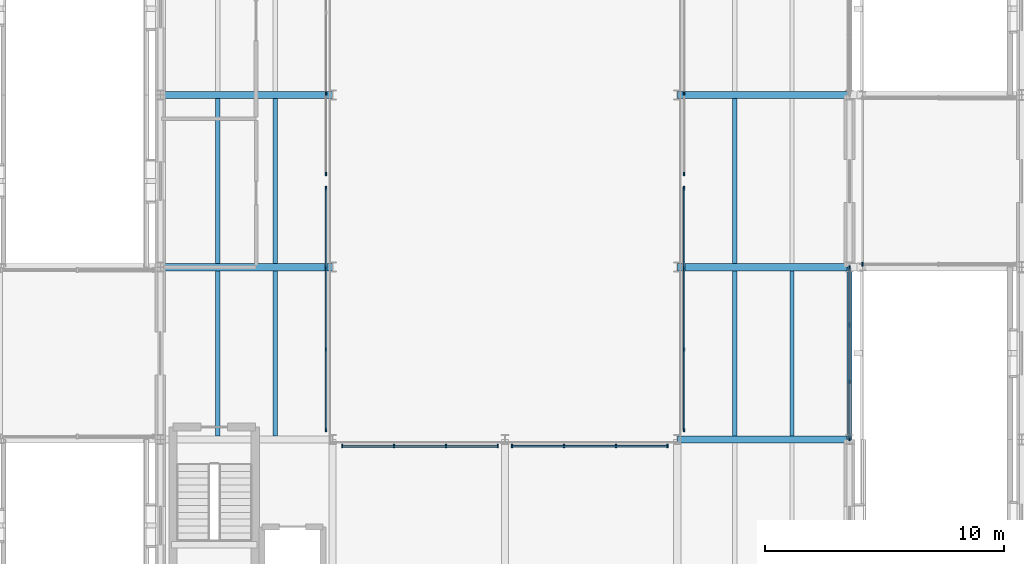
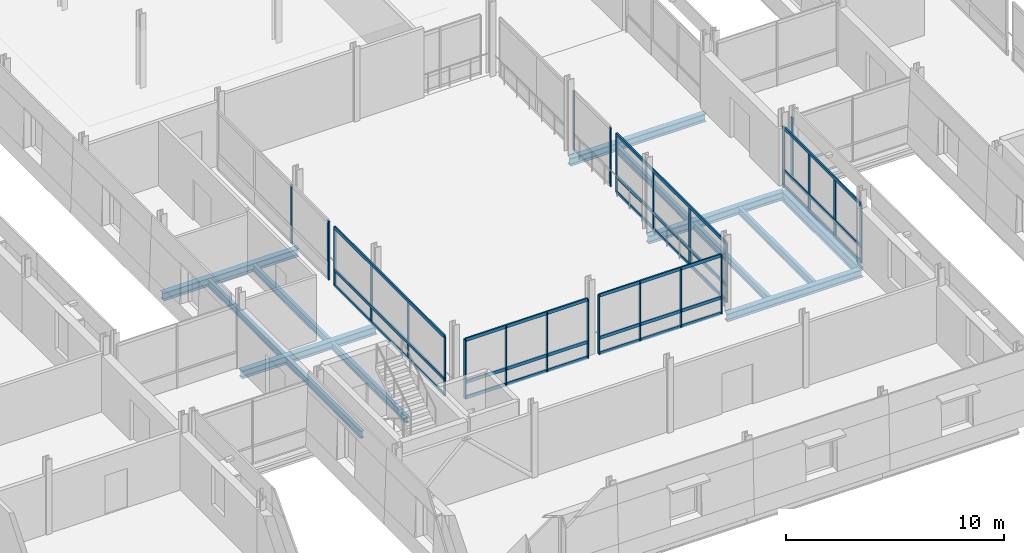
# One storey, part 23 of 115: 40 members, 13 beams, 8 elements without a shape of their own.
"""IFC4 building model written with IfcOpenShell, lengths in metres."""

from ifc_helpers import new_model, si_unit, direction, frame, origin, origin_2d, place, context, subcontext, project, spatial, rectangle, i_section, extrude, material, layer, layer_set, material_profile, profile_set, type_object, element, aggregate, save


model = new_model("IFC4")

# Units and contexts
model_context = context("Model", 3, precision=1e-05, world=origin(), true_north=direction((0.0, 1.0)))
body_context = subcontext(model_context, "Body", "Model", "MODEL_VIEW")
ifc_project = project(units=[si_unit("LENGTHUNIT", "METRE"), si_unit("AREAUNIT", "SQUARE_METRE"), si_unit("VOLUMEUNIT", "CUBIC_METRE"), si_unit("PLANEANGLEUNIT", "RADIAN"), si_unit("MASSUNIT", "GRAM", prefix="KILO")], contexts=[model_context])

# Site, building, storey
site_placement = place(None, origin())
site = spatial("IfcSite", under=ifc_project, at=site_placement, CompositionType="ELEMENT")
building_placement = place(site_placement, origin())
building = spatial("IfcBuilding", under=site, at=building_placement, Name="Narikvali Park Central Library", CompositionType="ELEMENT")
storey_placement = place(building_placement, frame((0.0, 0.0, 10.199951171875)))
storey = spatial("IfcBuildingStorey", under=building, at=storey_placement, Name="L02", CompositionType="ELEMENT", Elevation=10.199951171875)

# Curtain wall, members
ifc_material_1 = material(Name="Anodised Bronze Aluminium", Category="aluminium")
ifc_layer_1 = layer(ifc_material_1, 0.219970703125, Name="Anodised Bronze Aluminium")
ifc_layer_set_1 = layer_set([ifc_layer_1], Name="Anodised Bronze Aluminium")
curtain_wall_type_1 = type_object("IfcCurtainWallType", Name="Atrium Tall Curtain Wall System", PredefinedType="NOTDEFINED", material=ifc_layer_set_1)
curtain_wall_1_placement = place(storey_placement, origin())
curtain_wall_1 = element("IfcCurtainWall", 1, at=curtain_wall_1_placement, inside=storey, type_object=curtain_wall_type_1, Name="Atrium Tall Curtain Wall System CW-V4-L02-E-03", PredefinedType="NOTDEFINED")
ifc_material_profile_1 = material_profile(ifc_material_1, rectangle(XDim=0.074951171875, YDim=0.179931640625, at=origin_2d()), Name="CW TRANSOM 75x180")
ifc_profile_set_1 = profile_set([ifc_material_profile_1], Name="Anodised Bronze Aluminium")
member_type_1 = type_object("IfcMemberType", Name="Curtain Wall Heavy Transom 75x180", PredefinedType="USERDEFINED", material=ifc_profile_set_1)
member_1_placement = place(storey_placement, frame((57.60009765625, 64.837890625, 0.030029296875), z_axis=(0.0, 1.0, 0.0), x_axis=(-1.0, 0.0, 0.0)))
member_1 = element("IfcMember", 2, at=member_1_placement, type_object=member_type_1, Name="CW-V4-L02-E-03 Transom 00", ObjectType="TRANSOM", PredefinedType="USERDEFINED", context=body_context, shape_type="SweptSolid", body=[
    extrude(rectangle(XDim=0.074951171875, YDim=0.179931640625, at=origin_2d()), origin(), (0.0, 0.0, 1.0), 7.1240234375),
])
member_2_placement = place(storey_placement, frame((57.60009765625, 64.837890625, 0.900146484375), z_axis=(0.0, 1.0, 0.0), x_axis=(-1.0, 0.0, 0.0)))
member_2 = element("IfcMember", 3, at=member_2_placement, type_object=member_type_1, Name="CW-V4-L02-E-03 Transom 01", ObjectType="TRANSOM", PredefinedType="USERDEFINED", context=body_context, shape_type="SweptSolid", body=[
    extrude(rectangle(XDim=0.074951171875, YDim=0.179931640625, at=origin_2d()), origin(), (0.0, 0.0, 1.0), 7.1240234375),
])
member_3_placement = place(storey_placement, frame((57.60009765625, 64.837890625, 3.27001953125), z_axis=(0.0, 1.0, 0.0), x_axis=(-1.0, 0.0, 0.0)))
member_3 = element("IfcMember", 4, at=member_3_placement, type_object=member_type_1, Name="CW-V4-L02-E-03 Transom 02", ObjectType="TRANSOM", PredefinedType="USERDEFINED", context=body_context, shape_type="SweptSolid", body=[
    extrude(rectangle(XDim=0.074951171875, YDim=0.179931640625, at=origin_2d()), origin(), (0.0, 0.0, 1.0), 7.1240234375),
])

curtain_wall_2_placement = place(storey_placement, origin())
curtain_wall_2 = element("IfcCurtainWall", 5, at=curtain_wall_2_placement, inside=storey, type_object=curtain_wall_type_1, Name="Atrium Tall Curtain Wall System CW-INT-V4-L02-W1", PredefinedType="NOTDEFINED")
member_4_placement = place(storey_placement, frame((35.719970703125, 65.199951171875, 0.030029296875), z_axis=(0.0, 1.0, 0.0), x_axis=(-1.0, 0.0, 0.0)))
member_4 = element("IfcMember", 6, at=member_4_placement, type_object=member_type_1, Name="CW-INT-V4-L02-W1 Transom 00", ObjectType="TRANSOM", PredefinedType="USERDEFINED", context=body_context, shape_type="SweptSolid", body=[
    extrude(rectangle(XDim=0.074951171875, YDim=0.179931640625, at=origin_2d()), origin(), (0.0, 0.0, 1.0), 10.10009765625),
])
member_5_placement = place(storey_placement, frame((35.719970703125, 65.199951171875, 0.900146484375), z_axis=(0.0, 1.0, 0.0), x_axis=(-1.0, 0.0, 0.0)))
member_5 = element("IfcMember", 7, at=member_5_placement, type_object=member_type_1, Name="CW-INT-V4-L02-W1 Transom 01", ObjectType="TRANSOM", PredefinedType="USERDEFINED", context=body_context, shape_type="SweptSolid", body=[
    extrude(rectangle(XDim=0.074951171875, YDim=0.179931640625, at=origin_2d()), origin(), (0.0, 0.0, 1.0), 10.10009765625),
])
member_6_placement = place(storey_placement, frame((35.719970703125, 65.199951171875, 3.27001953125), z_axis=(0.0, 1.0, 0.0), x_axis=(-1.0, 0.0, 0.0)))
member_6 = element("IfcMember", 8, at=member_6_placement, type_object=member_type_1, Name="CW-INT-V4-L02-W1 Transom 02", ObjectType="TRANSOM", PredefinedType="USERDEFINED", context=body_context, shape_type="SweptSolid", body=[
    extrude(rectangle(XDim=0.074951171875, YDim=0.179931640625, at=origin_2d()), origin(), (0.0, 0.0, 1.0), 10.10009765625),
])

curtain_wall_3_placement = place(storey_placement, origin())
curtain_wall_3 = element("IfcCurtainWall", 9, at=curtain_wall_3_placement, inside=storey, type_object=curtain_wall_type_1, Name="Atrium Tall Curtain Wall System CW-INT-V4-L02-E1", PredefinedType="NOTDEFINED")
member_7_placement = place(storey_placement, frame((50.679931640625, 65.199951171875, 0.030029296875), z_axis=(0.0, 1.0, 0.0), x_axis=(-1.0, 0.0, 0.0)))
member_7 = element("IfcMember", 10, at=member_7_placement, type_object=member_type_1, Name="CW-INT-V4-L02-E1 Transom 00", ObjectType="TRANSOM", PredefinedType="USERDEFINED", context=body_context, shape_type="SweptSolid", body=[
    extrude(rectangle(XDim=0.074951171875, YDim=0.179931640625, at=origin_2d()), origin(), (0.0, 0.0, 1.0), 10.10009765625),
])
member_8_placement = place(storey_placement, frame((50.679931640625, 65.199951171875, 0.900146484375), z_axis=(0.0, 1.0, 0.0), x_axis=(-1.0, 0.0, 0.0)))
member_8 = element("IfcMember", 11, at=member_8_placement, type_object=member_type_1, Name="CW-INT-V4-L02-E1 Transom 01", ObjectType="TRANSOM", PredefinedType="USERDEFINED", context=body_context, shape_type="SweptSolid", body=[
    extrude(rectangle(XDim=0.074951171875, YDim=0.179931640625, at=origin_2d()), origin(), (0.0, 0.0, 1.0), 10.10009765625),
])
member_9_placement = place(storey_placement, frame((50.679931640625, 65.199951171875, 3.27001953125), z_axis=(0.0, 1.0, 0.0), x_axis=(-1.0, 0.0, 0.0)))
member_9 = element("IfcMember", 12, at=member_9_placement, type_object=member_type_1, Name="CW-INT-V4-L02-E1 Transom 02", ObjectType="TRANSOM", PredefinedType="USERDEFINED", context=body_context, shape_type="SweptSolid", body=[
    extrude(rectangle(XDim=0.074951171875, YDim=0.179931640625, at=origin_2d()), origin(), (0.0, 0.0, 1.0), 10.10009765625),
])

curtain_wall_4_placement = place(storey_placement, origin())
curtain_wall_4 = element("IfcCurtainWall", 13, at=curtain_wall_4_placement, inside=storey, type_object=curtain_wall_type_1, Name="Atrium Tall Curtain Wall System CW-INT-V4-L02-S1", PredefinedType="NOTDEFINED")
member_10_placement = place(storey_placement, frame((36.39990234375, 64.52001953125, 0.030029296875), z_axis=(1.0, 0.0, 0.0), x_axis=(0.0, 1.0, 0.0)))
member_10 = element("IfcMember", 14, at=member_10_placement, type_object=member_type_1, Name="CW-INT-V4-L02-S1 Transom 00", ObjectType="TRANSOM", PredefinedType="USERDEFINED", context=body_context, shape_type="SweptSolid", body=[
    extrude(rectangle(XDim=0.074951171875, YDim=0.179931640625, at=origin_2d()), origin(), (0.0, 0.0, 1.0), 6.5),
])
member_11_placement = place(storey_placement, frame((36.39990234375, 64.52001953125, 0.900146484375), z_axis=(1.0, 0.0, 0.0), x_axis=(0.0, 1.0, 0.0)))
member_11 = element("IfcMember", 15, at=member_11_placement, type_object=member_type_1, Name="CW-INT-V4-L02-S1 Transom 01", ObjectType="TRANSOM", PredefinedType="USERDEFINED", context=body_context, shape_type="SweptSolid", body=[
    extrude(rectangle(XDim=0.074951171875, YDim=0.179931640625, at=origin_2d()), origin(), (0.0, 0.0, 1.0), 6.5),
])
member_12_placement = place(storey_placement, frame((36.39990234375, 64.52001953125, 3.27001953125), z_axis=(1.0, 0.0, 0.0), x_axis=(0.0, 1.0, 0.0)))
member_12 = element("IfcMember", 16, at=member_12_placement, type_object=member_type_1, Name="CW-INT-V4-L02-S1 Transom 02", ObjectType="TRANSOM", PredefinedType="USERDEFINED", context=body_context, shape_type="SweptSolid", body=[
    extrude(rectangle(XDim=0.074951171875, YDim=0.179931640625, at=origin_2d()), origin(), (0.0, 0.0, 1.0), 6.5),
])

curtain_wall_5_placement = place(storey_placement, origin())
curtain_wall_5 = element("IfcCurtainWall", 17, at=curtain_wall_5_placement, inside=storey, type_object=curtain_wall_type_1, Name="Atrium Tall Curtain Wall System CW-INT-V4-L02-S2", PredefinedType="NOTDEFINED")
member_13_placement = place(storey_placement, frame((43.5, 64.52001953125, 0.030029296875), z_axis=(1.0, 0.0, 0.0), x_axis=(0.0, 1.0, 0.0)))
member_13 = element("IfcMember", 18, at=member_13_placement, type_object=member_type_1, Name="CW-INT-V4-L02-S2 Transom 00", ObjectType="TRANSOM", PredefinedType="USERDEFINED", context=body_context, shape_type="SweptSolid", body=[
    extrude(rectangle(XDim=0.074951171875, YDim=0.179931640625, at=origin_2d()), origin(), (0.0, 0.0, 1.0), 6.5),
])
member_14_placement = place(storey_placement, frame((43.5, 64.52001953125, 0.900146484375), z_axis=(1.0, 0.0, 0.0), x_axis=(0.0, 1.0, 0.0)))
member_14 = element("IfcMember", 19, at=member_14_placement, type_object=member_type_1, Name="CW-INT-V4-L02-S2 Transom 01", ObjectType="TRANSOM", PredefinedType="USERDEFINED", context=body_context, shape_type="SweptSolid", body=[
    extrude(rectangle(XDim=0.074951171875, YDim=0.179931640625, at=origin_2d()), origin(), (0.0, 0.0, 1.0), 6.5),
])
member_15_placement = place(storey_placement, frame((43.5, 64.52001953125, 3.27001953125), z_axis=(1.0, 0.0, 0.0), x_axis=(0.0, 1.0, 0.0)))
member_15 = element("IfcMember", 20, at=member_15_placement, type_object=member_type_1, Name="CW-INT-V4-L02-S2 Transom 02", ObjectType="TRANSOM", PredefinedType="USERDEFINED", context=body_context, shape_type="SweptSolid", body=[
    extrude(rectangle(XDim=0.074951171875, YDim=0.179931640625, at=origin_2d()), origin(), (0.0, 0.0, 1.0), 6.5),
])

# Member
ifc_material_profile_2 = material_profile(ifc_material_1, rectangle(XDim=0.06005859375, YDim=0.14990234375, at=origin_2d()), Name="CW MULLION 60x150")
ifc_profile_set_2 = profile_set([ifc_material_profile_2], Name="Anodised Bronze Aluminium")
member_type_2 = type_object("IfcMemberType", Name="Curtain Wall Mullion 60x150", PredefinedType="MULLION", material=ifc_profile_set_2)
member_16_placement = place(storey_placement, frame((35.719970703125, 65.199951171875, -0.010009765625), z_axis=(0.0, 0.0, 1.0), x_axis=(1.0, 0.0, 0.0)))
member_16 = element("IfcMember", 21, at=member_16_placement, type_object=member_type_2, Name="CW-INT-V4-L02-W1 Mullion 00", PredefinedType="MULLION", context=body_context, shape_type="SweptSolid", body=[
    extrude(rectangle(XDim=0.06005859375, YDim=0.14990234375, at=origin_2d()), origin(), (0.0, 0.0, 1.0), 3.31005859375),
])

member_17_placement = place(storey_placement, frame((35.719970703125, 68.566650390625, -0.010009765625), z_axis=(0.0, 0.0, 1.0), x_axis=(1.0, 0.0, 0.0)))
member_17 = element("IfcMember", 22, at=member_17_placement, type_object=member_type_2, Name="CW-INT-V4-L02-W1 Mullion 01", PredefinedType="MULLION", context=body_context, shape_type="SweptSolid", body=[
    extrude(rectangle(XDim=0.06005859375, YDim=0.14990234375, at=origin_2d()), origin(), (0.0, 0.0, 1.0), 3.31005859375),
])

member_18_placement = place(storey_placement, frame((35.719970703125, 71.933349609375, -0.010009765625), z_axis=(0.0, 0.0, 1.0), x_axis=(1.0, 0.0, 0.0)))
member_18 = element("IfcMember", 23, at=member_18_placement, type_object=member_type_2, Name="CW-INT-V4-L02-W1 Mullion 02", PredefinedType="MULLION", context=body_context, shape_type="SweptSolid", body=[
    extrude(rectangle(XDim=0.06005859375, YDim=0.14990234375, at=origin_2d()), origin(), (0.0, 0.0, 1.0), 3.31005859375),
])

member_19_placement = place(storey_placement, frame((35.719970703125, 75.300048828125, -0.010009765625), z_axis=(0.0, 0.0, 1.0), x_axis=(1.0, 0.0, 0.0)))
member_19 = element("IfcMember", 24, at=member_19_placement, type_object=member_type_2, Name="CW-INT-V4-L02-W1 Mullion 03", PredefinedType="MULLION", context=body_context, shape_type="SweptSolid", body=[
    extrude(rectangle(XDim=0.06005859375, YDim=0.14990234375, at=origin_2d()), origin(), (0.0, 0.0, 1.0), 3.31005859375),
])

aggregate(curtain_wall_2, [member_16, member_17, member_18, member_19, member_4, member_5, member_6])

# Curtain wall, members
curtain_wall_6_placement = place(storey_placement, origin())
curtain_wall_6 = element("IfcCurtainWall", 25, at=curtain_wall_6_placement, inside=storey, type_object=curtain_wall_type_1, Name="Atrium Tall Curtain Wall System CW-INT-V4-L02-W2", PredefinedType="NOTDEFINED")
member_20_placement = place(storey_placement, frame((35.719970703125, 75.89990234375, -0.010009765625), z_axis=(0.0, 0.0, 1.0), x_axis=(1.0, 0.0, 0.0)))
member_20 = element("IfcMember", 26, at=member_20_placement, type_object=member_type_2, Name="CW-INT-V4-L02-W2 Mullion 00", PredefinedType="MULLION", context=body_context, shape_type="SweptSolid", body=[
    extrude(rectangle(XDim=0.06005859375, YDim=0.14990234375, at=origin_2d()), origin(), (0.0, 0.0, 1.0), 3.31005859375),
])
member_21_placement = place(storey_placement, frame((35.719970703125, 79.2666015625, -0.010009765625), z_axis=(0.0, 0.0, 1.0), x_axis=(1.0, 0.0, 0.0)))
member_21 = element("IfcMember", 27, at=member_21_placement, type_object=member_type_2, Name="CW-INT-V4-L02-W2 Mullion 01", PredefinedType="MULLION", context=body_context, shape_type="SweptSolid", body=[
    extrude(rectangle(XDim=0.06005859375, YDim=0.14990234375, at=origin_2d()), origin(), (0.0, 0.0, 1.0), 3.31005859375),
])
aggregate(curtain_wall_6, [member_20, member_21])

# Member
member_22_placement = place(storey_placement, frame((50.679931640625, 65.199951171875, -0.010009765625), z_axis=(0.0, 0.0, 1.0), x_axis=(1.0, 0.0, 0.0)))
member_22 = element("IfcMember", 28, at=member_22_placement, type_object=member_type_2, Name="CW-INT-V4-L02-E1 Mullion 00", PredefinedType="MULLION", context=body_context, shape_type="SweptSolid", body=[
    extrude(rectangle(XDim=0.06005859375, YDim=0.14990234375, at=origin_2d()), origin(), (0.0, 0.0, 1.0), 3.31005859375),
])

member_23_placement = place(storey_placement, frame((50.679931640625, 68.566650390625, -0.010009765625), z_axis=(0.0, 0.0, 1.0), x_axis=(1.0, 0.0, 0.0)))
member_23 = element("IfcMember", 29, at=member_23_placement, type_object=member_type_2, Name="CW-INT-V4-L02-E1 Mullion 01", PredefinedType="MULLION", context=body_context, shape_type="SweptSolid", body=[
    extrude(rectangle(XDim=0.06005859375, YDim=0.14990234375, at=origin_2d()), origin(), (0.0, 0.0, 1.0), 3.31005859375),
])

member_24_placement = place(storey_placement, frame((50.679931640625, 71.933349609375, -0.010009765625), z_axis=(0.0, 0.0, 1.0), x_axis=(1.0, 0.0, 0.0)))
member_24 = element("IfcMember", 30, at=member_24_placement, type_object=member_type_2, Name="CW-INT-V4-L02-E1 Mullion 02", PredefinedType="MULLION", context=body_context, shape_type="SweptSolid", body=[
    extrude(rectangle(XDim=0.06005859375, YDim=0.14990234375, at=origin_2d()), origin(), (0.0, 0.0, 1.0), 3.31005859375),
])

member_25_placement = place(storey_placement, frame((50.679931640625, 75.300048828125, -0.010009765625), z_axis=(0.0, 0.0, 1.0), x_axis=(1.0, 0.0, 0.0)))
member_25 = element("IfcMember", 31, at=member_25_placement, type_object=member_type_2, Name="CW-INT-V4-L02-E1 Mullion 03", PredefinedType="MULLION", context=body_context, shape_type="SweptSolid", body=[
    extrude(rectangle(XDim=0.06005859375, YDim=0.14990234375, at=origin_2d()), origin(), (0.0, 0.0, 1.0), 3.31005859375),
])

aggregate(curtain_wall_3, [member_22, member_23, member_24, member_25, member_7, member_8, member_9])

# Curtain wall, members
curtain_wall_7_placement = place(storey_placement, origin())
curtain_wall_7 = element("IfcCurtainWall", 32, at=curtain_wall_7_placement, inside=storey, type_object=curtain_wall_type_1, Name="Atrium Tall Curtain Wall System CW-INT-V4-L02-E2", PredefinedType="NOTDEFINED")
member_26_placement = place(storey_placement, frame((50.679931640625, 75.89990234375, -0.010009765625), z_axis=(0.0, 0.0, 1.0), x_axis=(1.0, 0.0, 0.0)))
member_26 = element("IfcMember", 33, at=member_26_placement, type_object=member_type_2, Name="CW-INT-V4-L02-E2 Mullion 00", PredefinedType="MULLION", context=body_context, shape_type="SweptSolid", body=[
    extrude(rectangle(XDim=0.06005859375, YDim=0.14990234375, at=origin_2d()), origin(), (0.0, 0.0, 1.0), 3.31005859375),
])
member_27_placement = place(storey_placement, frame((50.679931640625, 79.2666015625, -0.010009765625), z_axis=(0.0, 0.0, 1.0), x_axis=(1.0, 0.0, 0.0)))
member_27 = element("IfcMember", 34, at=member_27_placement, type_object=member_type_2, Name="CW-INT-V4-L02-E2 Mullion 01", PredefinedType="MULLION", context=body_context, shape_type="SweptSolid", body=[
    extrude(rectangle(XDim=0.06005859375, YDim=0.14990234375, at=origin_2d()), origin(), (0.0, 0.0, 1.0), 3.31005859375),
])
aggregate(curtain_wall_7, [member_26, member_27])

# Member
member_28_placement = place(storey_placement, frame((36.39990234375, 64.52001953125, -0.010009765625), z_axis=(0.0, 0.0, 1.0), x_axis=(1.0, 0.0, 0.0)))
member_28 = element("IfcMember", 35, at=member_28_placement, type_object=member_type_2, Name="CW-INT-V4-L02-S1 Mullion 00", PredefinedType="MULLION", context=body_context, shape_type="SweptSolid", body=[
    extrude(rectangle(XDim=0.06005859375, YDim=0.14990234375, at=origin_2d()), origin(), (0.0, 0.0, 1.0), 3.31005859375),
])

member_29_placement = place(storey_placement, frame((38.566650390625, 64.52001953125, -0.010009765625), z_axis=(0.0, 0.0, 1.0), x_axis=(1.0, 0.0, 0.0)))
member_29 = element("IfcMember", 36, at=member_29_placement, type_object=member_type_2, Name="CW-INT-V4-L02-S1 Mullion 01", PredefinedType="MULLION", context=body_context, shape_type="SweptSolid", body=[
    extrude(rectangle(XDim=0.06005859375, YDim=0.14990234375, at=origin_2d()), origin(), (0.0, 0.0, 1.0), 3.31005859375),
])

member_30_placement = place(storey_placement, frame((40.7333984375, 64.52001953125, -0.010009765625), z_axis=(0.0, 0.0, 1.0), x_axis=(1.0, 0.0, 0.0)))
member_30 = element("IfcMember", 37, at=member_30_placement, type_object=member_type_2, Name="CW-INT-V4-L02-S1 Mullion 02", PredefinedType="MULLION", context=body_context, shape_type="SweptSolid", body=[
    extrude(rectangle(XDim=0.06005859375, YDim=0.14990234375, at=origin_2d()), origin(), (0.0, 0.0, 1.0), 3.31005859375),
])

member_31_placement = place(storey_placement, frame((42.89990234375, 64.52001953125, -0.010009765625), z_axis=(0.0, 0.0, 1.0), x_axis=(1.0, 0.0, 0.0)))
member_31 = element("IfcMember", 38, at=member_31_placement, type_object=member_type_2, Name="CW-INT-V4-L02-S1 Mullion 03", PredefinedType="MULLION", context=body_context, shape_type="SweptSolid", body=[
    extrude(rectangle(XDim=0.06005859375, YDim=0.14990234375, at=origin_2d()), origin(), (0.0, 0.0, 1.0), 3.31005859375),
])

aggregate(curtain_wall_4, [member_28, member_29, member_30, member_31, member_10, member_11, member_12])

member_32_placement = place(storey_placement, frame((43.5, 64.52001953125, -0.010009765625), z_axis=(0.0, 0.0, 1.0), x_axis=(1.0, 0.0, 0.0)))
member_32 = element("IfcMember", 39, at=member_32_placement, type_object=member_type_2, Name="CW-INT-V4-L02-S2 Mullion 00", PredefinedType="MULLION", context=body_context, shape_type="SweptSolid", body=[
    extrude(rectangle(XDim=0.06005859375, YDim=0.14990234375, at=origin_2d()), origin(), (0.0, 0.0, 1.0), 3.31005859375),
])

member_33_placement = place(storey_placement, frame((45.666748046875, 64.52001953125, -0.010009765625), z_axis=(0.0, 0.0, 1.0), x_axis=(1.0, 0.0, 0.0)))
member_33 = element("IfcMember", 40, at=member_33_placement, type_object=member_type_2, Name="CW-INT-V4-L02-S2 Mullion 01", PredefinedType="MULLION", context=body_context, shape_type="SweptSolid", body=[
    extrude(rectangle(XDim=0.06005859375, YDim=0.14990234375, at=origin_2d()), origin(), (0.0, 0.0, 1.0), 3.31005859375),
])

member_34_placement = place(storey_placement, frame((47.833251953125, 64.52001953125, -0.010009765625), z_axis=(0.0, 0.0, 1.0), x_axis=(1.0, 0.0, 0.0)))
member_34 = element("IfcMember", 41, at=member_34_placement, type_object=member_type_2, Name="CW-INT-V4-L02-S2 Mullion 02", PredefinedType="MULLION", context=body_context, shape_type="SweptSolid", body=[
    extrude(rectangle(XDim=0.06005859375, YDim=0.14990234375, at=origin_2d()), origin(), (0.0, 0.0, 1.0), 3.31005859375),
])

member_35_placement = place(storey_placement, frame((50.0, 64.52001953125, -0.010009765625), z_axis=(0.0, 0.0, 1.0), x_axis=(1.0, 0.0, 0.0)))
member_35 = element("IfcMember", 42, at=member_35_placement, type_object=member_type_2, Name="CW-INT-V4-L02-S2 Mullion 03", PredefinedType="MULLION", context=body_context, shape_type="SweptSolid", body=[
    extrude(rectangle(XDim=0.06005859375, YDim=0.14990234375, at=origin_2d()), origin(), (0.0, 0.0, 1.0), 3.31005859375),
])

aggregate(curtain_wall_5, [member_32, member_33, member_34, member_35, member_13, member_14, member_15])

ifc_material_profile_3 = material_profile(ifc_material_1, rectangle(XDim=0.06494140625, YDim=0.179931640625, at=origin_2d()), Name="CW MULLION 65x180")
ifc_profile_set_3 = profile_set([ifc_material_profile_3], Name="Anodised Bronze Aluminium")
member_type_3 = type_object("IfcMemberType", Name="Curtain Wall Mullion 65x180", PredefinedType="MULLION", material=ifc_profile_set_3)
member_36_placement = place(storey_placement, frame((57.60009765625, 64.837890625, -0.010009765625), z_axis=(0.0, 0.0, 1.0), x_axis=(1.0, 0.0, 0.0)))
member_36 = element("IfcMember", 43, at=member_36_placement, type_object=member_type_3, Name="CW-V4-L02-E-03 Mullion 00", PredefinedType="MULLION", context=body_context, shape_type="SweptSolid", body=[
    extrude(rectangle(XDim=0.06494140625, YDim=0.179931640625, at=origin_2d()), origin(), (0.0, 0.0, 1.0), 3.31005859375),
])

member_37_placement = place(storey_placement, frame((57.60009765625, 67.212646484375, -0.010009765625), z_axis=(0.0, 0.0, 1.0), x_axis=(1.0, 0.0, 0.0)))
member_37 = element("IfcMember", 44, at=member_37_placement, type_object=member_type_3, Name="CW-V4-L02-E-03 Mullion 01", PredefinedType="MULLION", context=body_context, shape_type="SweptSolid", body=[
    extrude(rectangle(XDim=0.06494140625, YDim=0.179931640625, at=origin_2d()), origin(), (0.0, 0.0, 1.0), 3.31005859375),
])

member_38_placement = place(storey_placement, frame((57.60009765625, 69.58740234375, -0.010009765625), z_axis=(0.0, 0.0, 1.0), x_axis=(1.0, 0.0, 0.0)))
member_38 = element("IfcMember", 45, at=member_38_placement, type_object=member_type_3, Name="CW-V4-L02-E-03 Mullion 02", PredefinedType="MULLION", context=body_context, shape_type="SweptSolid", body=[
    extrude(rectangle(XDim=0.06494140625, YDim=0.179931640625, at=origin_2d()), origin(), (0.0, 0.0, 1.0), 3.31005859375),
])

member_39_placement = place(storey_placement, frame((57.60009765625, 71.9619140625, -0.010009765625), z_axis=(0.0, 0.0, 1.0), x_axis=(1.0, 0.0, 0.0)))
member_39 = element("IfcMember", 46, at=member_39_placement, type_object=member_type_3, Name="CW-V4-L02-E-03 Mullion 03", PredefinedType="MULLION", context=body_context, shape_type="SweptSolid", body=[
    extrude(rectangle(XDim=0.06494140625, YDim=0.179931640625, at=origin_2d()), origin(), (0.0, 0.0, 1.0), 3.31005859375),
])

aggregate(curtain_wall_1, [member_36, member_37, member_38, member_39, member_1, member_2, member_3])

# Curtain wall, member
ifc_layer_2 = layer(ifc_material_1, 0.219970703125, Name="Anodised Bronze Aluminium")
ifc_layer_set_2 = layer_set([ifc_layer_2], Name="Anodised Bronze Aluminium")
curtain_wall_type_2 = type_object("IfcCurtainWallType", Name="Bridge Covered Passage Glazing System", PredefinedType="NOTDEFINED", material=ifc_layer_set_2)
curtain_wall_8_placement = place(storey_placement, origin())
curtain_wall_8 = element("IfcCurtainWall", 47, at=curtain_wall_8_placement, inside=storey, type_object=curtain_wall_type_2, Name="Bridge Covered Passage Glazing System CW-BRG-2-L02-S1", PredefinedType="NOTDEFINED")
member_40_placement = place(storey_placement, frame((58.14990234375, 72.1201171875, -0.010009765625), z_axis=(0.0, 0.0, 1.0), x_axis=(1.0, 0.0, 0.0)))
member_40 = element("IfcMember", 48, at=member_40_placement, type_object=member_type_3, Name="CW-BRG-2-L02-S1 Mullion 00", PredefinedType="MULLION", context=body_context, shape_type="SweptSolid", body=[
    extrude(rectangle(XDim=0.06494140625, YDim=0.179931640625, at=origin_2d()), origin(), (0.0, 0.0, 1.0), 3.56005859375),
])
aggregate(curtain_wall_8, [member_40])

# Beams
ifc_material_2 = material(Name="Steel S355", Category="steel")
ifc_material_profile_4 = material_profile(ifc_material_2, i_section(OverallWidth=0.181884765625, OverallDepth=0.404052734375, WebThickness=0.009765625, FlangeThickness=0.015380859375, FilletRadius=0.02099609375, at=origin_2d()), Name="IPEO 400")
ifc_profile_set_4 = profile_set([ifc_material_profile_4], Name="Steel S355")
beam_type_1 = type_object("IfcBeamType", Name="Gallery Floor Joist IPEO400", PredefinedType="JOIST", material=ifc_profile_set_4)
for number, where, z_axis, x_axis, name in (
    (49, (31.199951171875, 64.949951171875, -0.48193359375), (0.0, 1.0, 0.0), (-1.0, 0.0, 0.0), "V4 L02 Composite Joist 1"),
    (50, (33.60009765625, 64.949951171875, -0.48193359375), (0.0, 1.0, 0.0), (-1.0, 0.0, 0.0), "V4 L02 Composite Joist 2"),
    (51, (31.199951171875, 72.14990234375, -0.48193359375), (0.0, 1.0, 0.0), (-1.0, 0.0, 0.0), "V4 L02 Composite Joist 1"),
    (52, (33.60009765625, 72.14990234375, -0.48193359375), (0.0, 1.0, 0.0), (-1.0, 0.0, 0.0), "V4 L02 Composite Joist 2"),
    (53, (52.800048828125, 64.949951171875, -0.48193359375), (0.0, 1.0, 0.0), (-1.0, 0.0, 0.0), "V4 L02 Composite Joist 1"),
    (54, (55.199951171875, 64.949951171875, -0.48193359375), (0.0, 1.0, 0.0), (-1.0, 0.0, 0.0), "V4 L02 Composite Joist 2"),
    (55, (52.800048828125, 72.14990234375, -0.48193359375), (0.0, 1.0, 0.0), (-1.0, 0.0, 0.0), "V4 L02 Composite Joist 1"),
):
    element("IfcBeam", number, at=place(storey_placement, frame(where, z_axis=z_axis, x_axis=x_axis)), inside=storey, type_object=beam_type_1, Name=name, PredefinedType="JOIST", context=body_context, shape_type="SweptSolid", body=[
        extrude(i_section(OverallWidth=0.181884765625, OverallDepth=0.404052734375, WebThickness=0.009765625, FlangeThickness=0.015380859375, FilletRadius=0.02099609375, at=origin_2d()), origin(), (0.0, 0.0, 1.0), 6.900146484375),
    ])
ifc_material_profile_5 = material_profile(ifc_material_2, i_section(OverallWidth=0.2099609375, OverallDepth=0.550048828125, WebThickness=0.010986328125, FlangeThickness=0.01708984375, FilletRadius=0.02392578125, at=origin_2d()), Name="IPE 550")
ifc_profile_set_5 = profile_set([ifc_material_profile_5], Name="Steel S355")
beam_type_2 = type_object("IfcBeamType", Name="Perimeter Spandrel IPE550", PredefinedType="SPANDREL", material=ifc_profile_set_5)
beam_1_placement = place(storey_placement, frame((57.60009765625, 64.80810546875, -0.554931640625), z_axis=(0.0, 1.0, 0.0), x_axis=(-1.0, 0.0, 0.0)))
element("IfcBeam", 56, at=beam_1_placement, inside=storey, type_object=beam_type_2, Name="V4 L02 Girder Y", PredefinedType="SPANDREL", context=body_context, shape_type="SweptSolid", body=[
    extrude(i_section(OverallWidth=0.2099609375, OverallDepth=0.550048828125, WebThickness=0.010986328125, FlangeThickness=0.01708984375, FilletRadius=0.02392578125, at=origin_2d()), origin(), (0.0, 0.0, 1.0), 7.183837890625),
])
ifc_material_profile_6 = material_profile(ifc_material_2, i_section(OverallWidth=0.300048828125, OverallDepth=0.43994140625, WebThickness=0.011474609375, FlangeThickness=0.02099609375, FilletRadius=0.027099609375, at=origin_2d()), Name="HEA 450")
ifc_profile_set_6 = profile_set([ifc_material_profile_6], Name="Steel S355")
beam_type_3 = type_object("IfcBeamType", Name="Primary Girder HEA450", PredefinedType="BEAM", material=ifc_profile_set_6)
beam_2_placement = place(storey_placement, frame((50.407958984375, 64.800048828125, -0.5), z_axis=(1.0, 0.0, 0.0), x_axis=(0.0, 1.0, 0.0)))
element("IfcBeam", 57, at=beam_2_placement, inside=storey, type_object=beam_type_3, Name="V4 L02 Girder X", PredefinedType="BEAM", context=body_context, shape_type="SweptSolid", body=[
    extrude(i_section(OverallWidth=0.300048828125, OverallDepth=0.43994140625, WebThickness=0.011474609375, FlangeThickness=0.02099609375, FilletRadius=0.027099609375, at=origin_2d()), origin(), (0.0, 0.0, 1.0), 7.18408203125),
])
beam_3_placement = place(storey_placement, frame((28.80810546875, 72.0, -0.5), z_axis=(1.0, 0.0, 0.0), x_axis=(0.0, 1.0, 0.0)))
element("IfcBeam", 58, at=beam_3_placement, inside=storey, type_object=beam_type_3, Name="V4 L02 Girder X", PredefinedType="BEAM", context=body_context, shape_type="SweptSolid", body=[
    extrude(i_section(OverallWidth=0.300048828125, OverallDepth=0.43994140625, WebThickness=0.011474609375, FlangeThickness=0.02099609375, FilletRadius=0.027099609375, at=origin_2d()), origin(), (0.0, 0.0, 1.0), 7.183837890625),
])
beam_4_placement = place(storey_placement, frame((50.407958984375, 72.0, -0.5), z_axis=(1.0, 0.0, 0.0), x_axis=(0.0, 1.0, 0.0)))
element("IfcBeam", 59, at=beam_4_placement, inside=storey, type_object=beam_type_3, Name="V4 L02 Girder X", PredefinedType="BEAM", context=body_context, shape_type="SweptSolid", body=[
    extrude(i_section(OverallWidth=0.300048828125, OverallDepth=0.43994140625, WebThickness=0.011474609375, FlangeThickness=0.02099609375, FilletRadius=0.027099609375, at=origin_2d()), origin(), (0.0, 0.0, 1.0), 7.18408203125),
])
beam_5_placement = place(storey_placement, frame((28.80810546875, 79.199951171875, -0.5), z_axis=(1.0, 0.0, 0.0), x_axis=(0.0, 1.0, 0.0)))
element("IfcBeam", 60, at=beam_5_placement, inside=storey, type_object=beam_type_3, Name="V4 L02 Girder X", PredefinedType="BEAM", context=body_context, shape_type="SweptSolid", body=[
    extrude(i_section(OverallWidth=0.300048828125, OverallDepth=0.43994140625, WebThickness=0.011474609375, FlangeThickness=0.02099609375, FilletRadius=0.027099609375, at=origin_2d()), origin(), (0.0, 0.0, 1.0), 7.183837890625),
])
beam_6_placement = place(storey_placement, frame((50.407958984375, 79.199951171875, -0.5), z_axis=(1.0, 0.0, 0.0), x_axis=(0.0, 1.0, 0.0)))
element("IfcBeam", 61, at=beam_6_placement, inside=storey, type_object=beam_type_3, Name="V4 L02 Girder X", PredefinedType="BEAM", context=body_context, shape_type="SweptSolid", body=[
    extrude(i_section(OverallWidth=0.300048828125, OverallDepth=0.43994140625, WebThickness=0.011474609375, FlangeThickness=0.02099609375, FilletRadius=0.027099609375, at=origin_2d()), origin(), (0.0, 0.0, 1.0), 7.18408203125),
])

save(model, "model.ifc")
